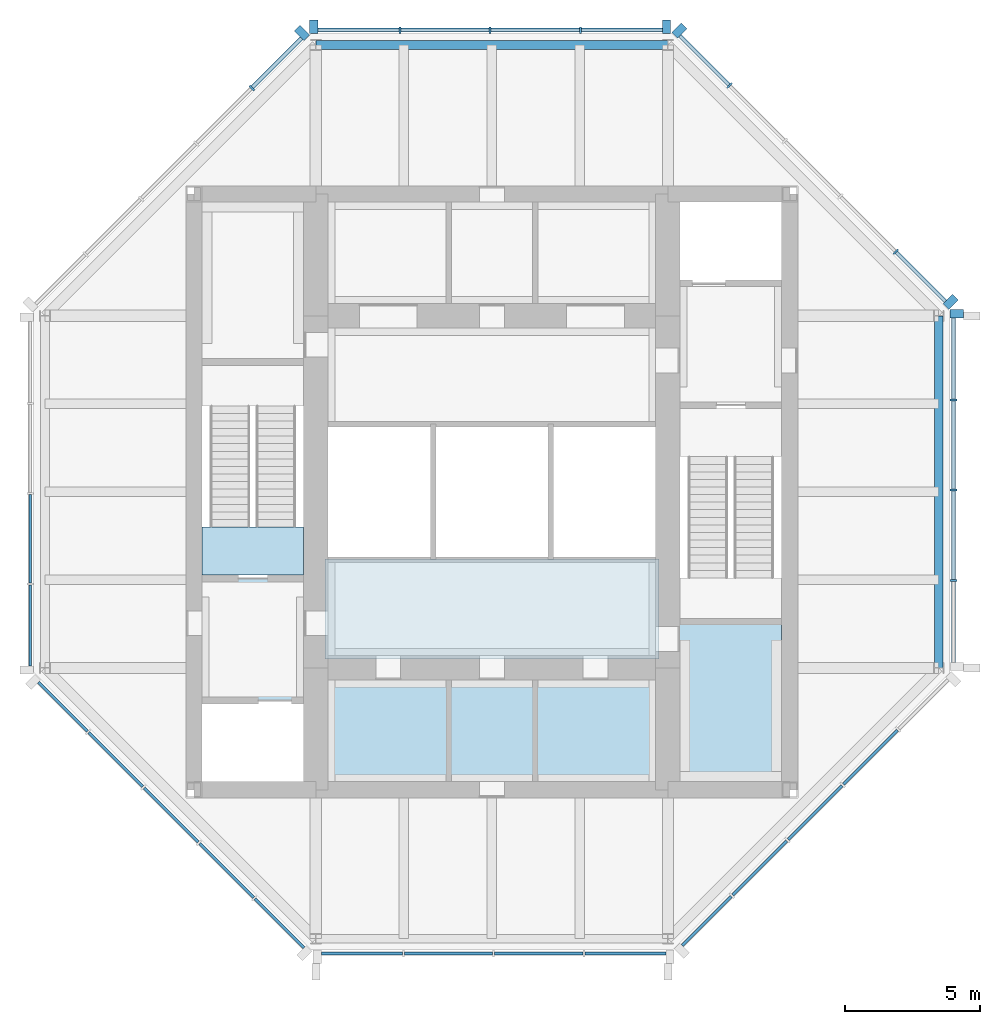
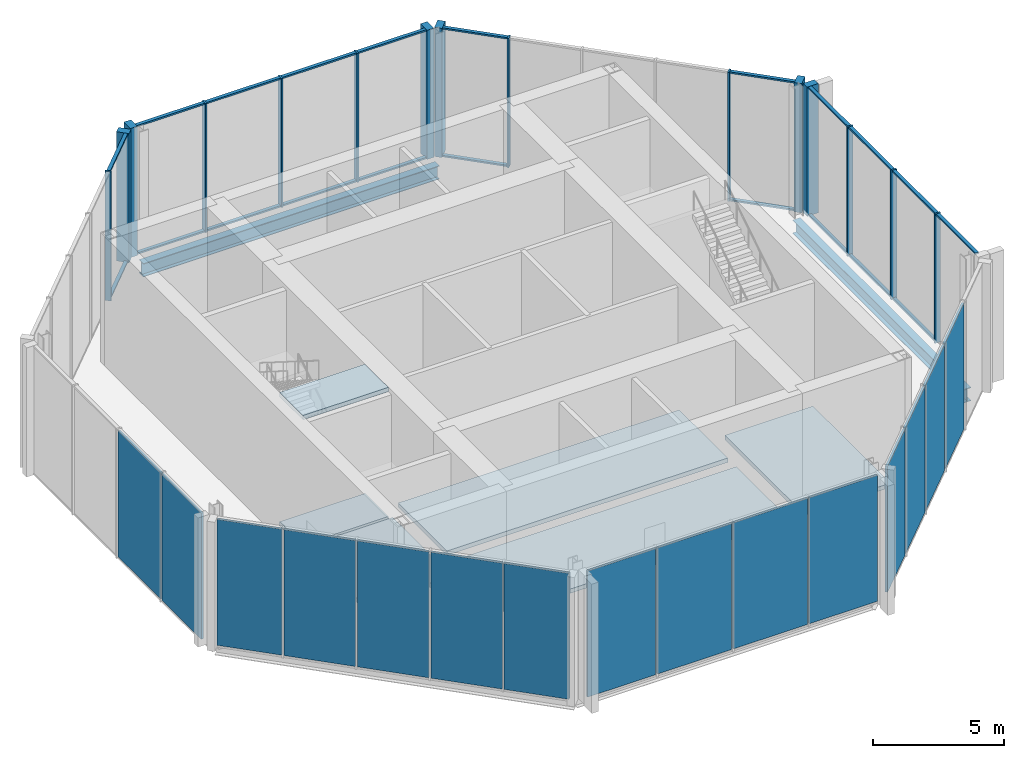
# One storey, part 3 of 6: 36 members, 15 plates, 6 slabs, 2 beams, 9 elements without a shape of their own.
"""IFC4 building model written with IfcOpenShell, lengths in metres."""

from ifc_helpers import new_model, si_unit, direction, frame, origin, origin_2d, place, context, subcontext, project, spatial, polyline, rectangle, i_section, outline, extrude, material, layer, layer_set, material_profile, profile_set, type_object, element, aggregate, save


model = new_model("IFC4")

# Units and contexts
model_context = context("Model", 3, precision=1e-05, world=origin(), true_north=direction((0.0, 1.0)))
body_context = subcontext(model_context, "Body", "Model", "MODEL_VIEW")
ifc_project = project(units=[si_unit("LENGTHUNIT", "METRE"), si_unit("AREAUNIT", "SQUARE_METRE"), si_unit("VOLUMEUNIT", "CUBIC_METRE"), si_unit("PLANEANGLEUNIT", "RADIAN"), si_unit("MASSUNIT", "GRAM", prefix="KILO")], contexts=[model_context])

# Site, building, storey
site_placement = place(None, origin())
site = spatial("IfcSite", under=ifc_project, at=site_placement, CompositionType="ELEMENT")
building_placement = place(site_placement, origin())
building = spatial("IfcBuilding", under=site, at=building_placement, Name="Trevanion Tower", CompositionType="ELEMENT")
storey_placement = place(building_placement, frame((0.0, 0.0, 304.199951171875)))
storey = spatial("IfcBuildingStorey", under=building, at=storey_placement, Name="L75", CompositionType="ELEMENT", Elevation=304.199951171875)

# Curtain wall, members
ifc_material_1 = material(Name="Aluminium louvres", Category="aluminium")
curtain_wall_type = type_object("IfcCurtainWallType", Name="CWL curtain wall", PredefinedType="USERDEFINED", material=ifc_material_1)
curtain_wall_1_placement = place(storey_placement, origin())
curtain_wall_1 = element("IfcCurtainWall", 1, at=curtain_wall_1_placement, inside=storey, type_object=curtain_wall_type, Name="CWL L75 0", ObjectType="LOUVRE SCREEN", PredefinedType="USERDEFINED")
ifc_material_2 = material(Name="Aluminium extrusion, anodised bronze", Category="aluminium")
ifc_material_profile_1 = material_profile(ifc_material_2, rectangle(XDim=0.074951171875, YDim=0.25, at=origin_2d()), Name="CWL mullion")
ifc_profile_set_1 = profile_set([ifc_material_profile_1], Name="Aluminium extrusion, anodised bronze")
member_type_1 = type_object("IfcMemberType", Name="CWL mullion", PredefinedType="MULLION", material=ifc_profile_set_1)
member_1_placement = place(storey_placement, frame((17.050048828125, -3.266357421875, -0.18994140625), z_axis=(0.0, 0.0, 1.0), x_axis=(0.0, 1.0, 0.0)))
member_1 = element("IfcMember", 2, at=member_1_placement, type_object=member_type_1, Name="CWL mullion 2", PredefinedType="MULLION", context=body_context, shape_type="SweptSolid", body=[
    extrude(rectangle(XDim=0.074951171875, YDim=0.25, at=origin_2d()), origin(), (0.0, 0.0, 1.0), 6.0),
])
member_2_placement = place(storey_placement, frame((17.050048828125, 0.06494140625, -0.18994140625), z_axis=(0.0, 0.0, 1.0), x_axis=(0.0, 1.0, 0.0)))
member_2 = element("IfcMember", 3, at=member_2_placement, type_object=member_type_1, Name="CWL mullion 3", PredefinedType="MULLION", context=body_context, shape_type="SweptSolid", body=[
    extrude(rectangle(XDim=0.074951171875, YDim=0.25, at=origin_2d()), origin(), (0.0, 0.0, 1.0), 6.0),
])
member_3_placement = place(storey_placement, frame((17.050048828125, 3.396484375, -0.18994140625), z_axis=(0.0, 0.0, 1.0), x_axis=(0.0, 1.0, 0.0)))
member_3 = element("IfcMember", 4, at=member_3_placement, type_object=member_type_1, Name="CWL mullion 4", PredefinedType="MULLION", context=body_context, shape_type="SweptSolid", body=[
    extrude(rectangle(XDim=0.074951171875, YDim=0.25, at=origin_2d()), origin(), (0.0, 0.0, 1.0), 6.0),
])

curtain_wall_2_placement = place(storey_placement, origin())
curtain_wall_2 = element("IfcCurtainWall", 5, at=curtain_wall_2_placement, inside=storey, type_object=curtain_wall_type, Name="CWL L75 1", ObjectType="LOUVRE SCREEN", PredefinedType="USERDEFINED")
member_4_placement = place(storey_placement, frame((14.912109375, 8.86572265625, -0.18994140625), z_axis=(0.0, 0.0, 1.0), x_axis=(-0.707106781187, 0.707106781187, 0.0)))
member_4 = element("IfcMember", 6, at=member_4_placement, type_object=member_type_1, Name="CWL mullion 2", PredefinedType="MULLION", context=body_context, shape_type="SweptSolid", body=[
    extrude(rectangle(XDim=0.074951171875, YDim=0.25, at=origin_2d()), origin(), (0.0, 0.0, 1.0), 6.0),
])
member_5_placement = place(storey_placement, frame((8.77392578125, 15.00390625, -0.18994140625), z_axis=(0.0, 0.0, 1.0), x_axis=(-0.707106781187, 0.707106781187, 0.0)))
member_5 = element("IfcMember", 7, at=member_5_placement, type_object=member_type_1, Name="CWL mullion 5", PredefinedType="MULLION", context=body_context, shape_type="SweptSolid", body=[
    extrude(rectangle(XDim=0.074951171875, YDim=0.25, at=origin_2d()), origin(), (0.0, 0.0, 1.0), 6.0),
])

curtain_wall_3_placement = place(storey_placement, origin())
curtain_wall_3 = element("IfcCurtainWall", 8, at=curtain_wall_3_placement, inside=storey, type_object=curtain_wall_type, Name="CWL L75 2", ObjectType="LOUVRE SCREEN", PredefinedType="USERDEFINED")
member_6_placement = place(storey_placement, frame((3.266357421875, 17.050048828125, -0.18994140625), z_axis=(0.0, 0.0, 1.0), x_axis=(-1.0, 0.0, 0.0)))
member_6 = element("IfcMember", 9, at=member_6_placement, type_object=member_type_1, Name="CWL mullion 2", PredefinedType="MULLION", context=body_context, shape_type="SweptSolid", body=[
    extrude(rectangle(XDim=0.074951171875, YDim=0.25, at=origin_2d()), origin(), (0.0, 0.0, 1.0), 6.0),
])
member_7_placement = place(storey_placement, frame((-0.06494140625, 17.050048828125, -0.18994140625), z_axis=(0.0, 0.0, 1.0), x_axis=(-1.0, 0.0, 0.0)))
member_7 = element("IfcMember", 10, at=member_7_placement, type_object=member_type_1, Name="CWL mullion 3", PredefinedType="MULLION", context=body_context, shape_type="SweptSolid", body=[
    extrude(rectangle(XDim=0.074951171875, YDim=0.25, at=origin_2d()), origin(), (0.0, 0.0, 1.0), 6.0),
])
member_8_placement = place(storey_placement, frame((-3.396484375, 17.050048828125, -0.18994140625), z_axis=(0.0, 0.0, 1.0), x_axis=(-1.0, 0.0, 0.0)))
member_8 = element("IfcMember", 11, at=member_8_placement, type_object=member_type_1, Name="CWL mullion 4", PredefinedType="MULLION", context=body_context, shape_type="SweptSolid", body=[
    extrude(rectangle(XDim=0.074951171875, YDim=0.25, at=origin_2d()), origin(), (0.0, 0.0, 1.0), 6.0),
])

# Curtain wall, member
curtain_wall_4_placement = place(storey_placement, origin())
curtain_wall_4 = element("IfcCurtainWall", 12, at=curtain_wall_4_placement, inside=storey, type_object=curtain_wall_type, Name="CWL L75 3", ObjectType="LOUVRE SCREEN", PredefinedType="USERDEFINED")
member_9_placement = place(storey_placement, frame((-8.86572265625, 14.912109375, -0.18994140625), z_axis=(0.0, 0.0, 1.0), x_axis=(-0.707106781187, -0.707106781187, 0.0)))
member_9 = element("IfcMember", 13, at=member_9_placement, type_object=member_type_1, Name="CWL mullion 2", PredefinedType="MULLION", context=body_context, shape_type="SweptSolid", body=[
    extrude(rectangle(XDim=0.074951171875, YDim=0.25, at=origin_2d()), origin(), (0.0, 0.0, 1.0), 6.0),
])

# Member
ifc_material_3 = material(Name="Aluminium extrusion, anodised bronze", Category="aluminium")
ifc_material_profile_2 = material_profile(ifc_material_3, rectangle(XDim=0.300048828125, YDim=0.5, at=origin_2d()), Name="CWL pier mullion")
ifc_profile_set_2 = profile_set([ifc_material_profile_2], Name="Aluminium extrusion, anodised bronze")
member_type_2 = type_object("IfcMemberType", Name="CWL pier mullion", PredefinedType="MULLION", material=ifc_profile_set_2)
member_10_placement = place(storey_placement, frame((17.175048828125, 6.577880859375, -0.18994140625), z_axis=(0.0, 0.0, 1.0), x_axis=(0.0, 1.0, 0.0)))
member_10 = element("IfcMember", 14, at=member_10_placement, type_object=member_type_2, Name="CWL pier mullion 5", PredefinedType="MULLION", context=body_context, shape_type="SweptSolid", body=[
    extrude(rectangle(XDim=0.300048828125, YDim=0.5, at=origin_2d()), origin(), (0.0, 0.0, 1.0), 6.0),
])

member_11_placement = place(storey_placement, frame((16.9404296875, 7.01416015625, -0.18994140625), z_axis=(0.0, 0.0, 1.0), x_axis=(-0.707106781187, 0.707106781187, 0.0)))
member_11 = element("IfcMember", 15, at=member_11_placement, type_object=member_type_2, Name="CWL pier mullion 1", PredefinedType="MULLION", context=body_context, shape_type="SweptSolid", body=[
    extrude(rectangle(XDim=0.300048828125, YDim=0.5, at=origin_2d()), origin(), (0.0, 0.0, 1.0), 6.0),
])

member_12_placement = place(storey_placement, frame((6.92236328125, 17.0322265625, -0.18994140625), z_axis=(0.0, 0.0, 1.0), x_axis=(-0.707106781187, 0.707106781187, 0.0)))
member_12 = element("IfcMember", 16, at=member_12_placement, type_object=member_type_2, Name="CWL pier mullion 6", PredefinedType="MULLION", context=body_context, shape_type="SweptSolid", body=[
    extrude(rectangle(XDim=0.300048828125, YDim=0.5, at=origin_2d()), origin(), (0.0, 0.0, 1.0), 6.0),
])

member_13_placement = place(storey_placement, frame((6.44775390625, 17.175048828125, -0.18994140625), z_axis=(0.0, 0.0, 1.0), x_axis=(-1.0, 0.0, 0.0)))
member_13 = element("IfcMember", 17, at=member_13_placement, type_object=member_type_2, Name="CWL pier mullion 1", PredefinedType="MULLION", context=body_context, shape_type="SweptSolid", body=[
    extrude(rectangle(XDim=0.300048828125, YDim=0.5, at=origin_2d()), origin(), (0.0, 0.0, 1.0), 6.0),
])

member_14_placement = place(storey_placement, frame((-6.577880859375, 17.175048828125, -0.18994140625), z_axis=(0.0, 0.0, 1.0), x_axis=(-1.0, 0.0, 0.0)))
member_14 = element("IfcMember", 18, at=member_14_placement, type_object=member_type_2, Name="CWL pier mullion 5", PredefinedType="MULLION", context=body_context, shape_type="SweptSolid", body=[
    extrude(rectangle(XDim=0.300048828125, YDim=0.5, at=origin_2d()), origin(), (0.0, 0.0, 1.0), 6.0),
])

member_15_placement = place(storey_placement, frame((-7.01416015625, 16.9404296875, -0.18994140625), z_axis=(0.0, 0.0, 1.0), x_axis=(-0.707106781187, -0.707106781187, 0.0)))
member_15 = element("IfcMember", 19, at=member_15_placement, type_object=member_type_2, Name="CWL pier mullion 1", PredefinedType="MULLION", context=body_context, shape_type="SweptSolid", body=[
    extrude(rectangle(XDim=0.300048828125, YDim=0.5, at=origin_2d()), origin(), (0.0, 0.0, 1.0), 6.0),
])

ifc_material_4 = material(Name="Aluminium extrusion, anodised bronze", Category="aluminium")
ifc_material_profile_3 = material_profile(ifc_material_4, rectangle(XDim=0.14990234375, YDim=0.074951171875, at=origin_2d()), Name="CWL transom")
ifc_profile_set_3 = profile_set([ifc_material_profile_3], Name="Aluminium extrusion, anodised bronze")
member_type_3 = type_object("IfcMemberType", Name="CWL transom", PredefinedType="USERDEFINED", material=ifc_profile_set_3)
member_16_placement = place(storey_placement, frame((17.050048828125, -6.2978515625, 5.7724609375), z_axis=(0.0, 1.0, 0.0), x_axis=(-1.0, 0.0, 0.0)))
member_16 = element("IfcMember", 20, at=member_16_placement, type_object=member_type_3, Name="CWL transom 1.2", ObjectType="TRANSOM", PredefinedType="USERDEFINED", context=body_context, shape_type="SweptSolid", body=[
    extrude(rectangle(XDim=0.14990234375, YDim=0.074951171875, at=origin_2d()), origin(), (0.0, 0.0, 1.0), 2.993896484375),
])

member_17_placement = place(storey_placement, frame((17.050048828125, -3.22900390625, -0.15234375), z_axis=(0.0, 1.0, 0.0), x_axis=(-1.0, 0.0, 0.0)))
member_17 = element("IfcMember", 21, at=member_17_placement, type_object=member_type_3, Name="CWL transom 2.1", ObjectType="TRANSOM", PredefinedType="USERDEFINED", context=body_context, shape_type="SweptSolid", body=[
    extrude(rectangle(XDim=0.14990234375, YDim=0.074951171875, at=origin_2d()), origin(), (0.0, 0.0, 1.0), 3.256591796875),
])

member_18_placement = place(storey_placement, frame((17.050048828125, -3.22900390625, 5.7724609375), z_axis=(0.0, 1.0, 0.0), x_axis=(-1.0, 0.0, 0.0)))
member_18 = element("IfcMember", 22, at=member_18_placement, type_object=member_type_3, Name="CWL transom 2.2", ObjectType="TRANSOM", PredefinedType="USERDEFINED", context=body_context, shape_type="SweptSolid", body=[
    extrude(rectangle(XDim=0.14990234375, YDim=0.074951171875, at=origin_2d()), origin(), (0.0, 0.0, 1.0), 3.256591796875),
])

member_19_placement = place(storey_placement, frame((17.050048828125, 0.1025390625, -0.15234375), z_axis=(0.0, 1.0, 0.0), x_axis=(-1.0, 0.0, 0.0)))
member_19 = element("IfcMember", 23, at=member_19_placement, type_object=member_type_3, Name="CWL transom 3.1", ObjectType="TRANSOM", PredefinedType="USERDEFINED", context=body_context, shape_type="SweptSolid", body=[
    extrude(rectangle(XDim=0.14990234375, YDim=0.074951171875, at=origin_2d()), origin(), (0.0, 0.0, 1.0), 3.25634765625),
])

member_20_placement = place(storey_placement, frame((17.050048828125, 0.1025390625, 5.7724609375), z_axis=(0.0, 1.0, 0.0), x_axis=(-1.0, 0.0, 0.0)))
member_20 = element("IfcMember", 24, at=member_20_placement, type_object=member_type_3, Name="CWL transom 3.2", ObjectType="TRANSOM", PredefinedType="USERDEFINED", context=body_context, shape_type="SweptSolid", body=[
    extrude(rectangle(XDim=0.14990234375, YDim=0.074951171875, at=origin_2d()), origin(), (0.0, 0.0, 1.0), 3.25634765625),
])

member_21_placement = place(storey_placement, frame((17.050048828125, 3.433837890625, -0.15234375), z_axis=(0.0, 1.0, 0.0), x_axis=(-1.0, 0.0, 0.0)))
member_21 = element("IfcMember", 25, at=member_21_placement, type_object=member_type_3, Name="CWL transom 4.1", ObjectType="TRANSOM", PredefinedType="USERDEFINED", context=body_context, shape_type="SweptSolid", body=[
    extrude(rectangle(XDim=0.14990234375, YDim=0.074951171875, at=origin_2d()), origin(), (0.0, 0.0, 1.0), 2.993896484375),
])

member_22_placement = place(storey_placement, frame((17.050048828125, 3.433837890625, 5.7724609375), z_axis=(0.0, 1.0, 0.0), x_axis=(-1.0, 0.0, 0.0)))
member_22 = element("IfcMember", 26, at=member_22_placement, type_object=member_type_3, Name="CWL transom 4.2", ObjectType="TRANSOM", PredefinedType="USERDEFINED", context=body_context, shape_type="SweptSolid", body=[
    extrude(rectangle(XDim=0.14990234375, YDim=0.074951171875, at=origin_2d()), origin(), (0.0, 0.0, 1.0), 2.993896484375),
])

aggregate(curtain_wall_1, [member_1, member_2, member_3, member_10, member_16, member_17, member_18, member_19, member_20, member_21, member_22])

member_23_placement = place(storey_placement, frame((16.745849609375, 7.031982421875, -0.15234375), z_axis=(-0.707106781187, 0.707106781187, 0.0), x_axis=(-0.707106781187, -0.707106781187, 0.0)))
member_23 = element("IfcMember", 27, at=member_23_placement, type_object=member_type_3, Name="CWL transom 1.1", ObjectType="TRANSOM", PredefinedType="USERDEFINED", context=body_context, shape_type="SweptSolid", body=[
    extrude(rectangle(XDim=0.14990234375, YDim=0.074951171875, at=origin_2d()), origin(), (0.0, 0.0, 1.0), 2.555908203125),
])

member_24_placement = place(storey_placement, frame((16.745849609375, 7.031982421875, 5.7724609375), z_axis=(-0.707106781187, 0.707106781187, 0.0), x_axis=(-0.707106781187, -0.707106781187, 0.0)))
member_24 = element("IfcMember", 28, at=member_24_placement, type_object=member_type_3, Name="CWL transom 1.2", ObjectType="TRANSOM", PredefinedType="USERDEFINED", context=body_context, shape_type="SweptSolid", body=[
    extrude(rectangle(XDim=0.14990234375, YDim=0.074951171875, at=origin_2d()), origin(), (0.0, 0.0, 1.0), 2.555908203125),
])

member_25_placement = place(storey_placement, frame((8.747314453125, 15.030517578125, -0.15234375), z_axis=(-0.707106781187, 0.707106781187, 0.0), x_axis=(-0.707106781187, -0.707106781187, 0.0)))
member_25 = element("IfcMember", 29, at=member_25_placement, type_object=member_type_3, Name="CWL transom 5.1", ObjectType="TRANSOM", PredefinedType="USERDEFINED", context=body_context, shape_type="SweptSolid", body=[
    extrude(rectangle(XDim=0.14990234375, YDim=0.074951171875, at=origin_2d()), origin(), (0.0, 0.0, 1.0), 2.555908203125),
])

member_26_placement = place(storey_placement, frame((8.747314453125, 15.030517578125, 5.7724609375), z_axis=(-0.707106781187, 0.707106781187, 0.0), x_axis=(-0.707106781187, -0.707106781187, 0.0)))
member_26 = element("IfcMember", 30, at=member_26_placement, type_object=member_type_3, Name="CWL transom 5.2", ObjectType="TRANSOM", PredefinedType="USERDEFINED", context=body_context, shape_type="SweptSolid", body=[
    extrude(rectangle(XDim=0.14990234375, YDim=0.074951171875, at=origin_2d()), origin(), (0.0, 0.0, 1.0), 2.555908203125),
])

aggregate(curtain_wall_2, [member_11, member_4, member_5, member_12, member_23, member_24, member_25, member_26])

member_27_placement = place(storey_placement, frame((6.2978515625, 17.050048828125, -0.15234375), z_axis=(-1.0, 0.0, 0.0), x_axis=(0.0, -1.0, 0.0)))
member_27 = element("IfcMember", 31, at=member_27_placement, type_object=member_type_3, Name="CWL transom 1.1", ObjectType="TRANSOM", PredefinedType="USERDEFINED", context=body_context, shape_type="SweptSolid", body=[
    extrude(rectangle(XDim=0.14990234375, YDim=0.074951171875, at=origin_2d()), origin(), (0.0, 0.0, 1.0), 2.993896484375),
])

member_28_placement = place(storey_placement, frame((6.2978515625, 17.050048828125, 5.7724609375), z_axis=(-1.0, 0.0, 0.0), x_axis=(0.0, -1.0, 0.0)))
member_28 = element("IfcMember", 32, at=member_28_placement, type_object=member_type_3, Name="CWL transom 1.2", ObjectType="TRANSOM", PredefinedType="USERDEFINED", context=body_context, shape_type="SweptSolid", body=[
    extrude(rectangle(XDim=0.14990234375, YDim=0.074951171875, at=origin_2d()), origin(), (0.0, 0.0, 1.0), 2.993896484375),
])

member_29_placement = place(storey_placement, frame((3.22900390625, 17.050048828125, -0.15234375), z_axis=(-1.0, 0.0, 0.0), x_axis=(0.0, -1.0, 0.0)))
member_29 = element("IfcMember", 33, at=member_29_placement, type_object=member_type_3, Name="CWL transom 2.1", ObjectType="TRANSOM", PredefinedType="USERDEFINED", context=body_context, shape_type="SweptSolid", body=[
    extrude(rectangle(XDim=0.14990234375, YDim=0.074951171875, at=origin_2d()), origin(), (0.0, 0.0, 1.0), 3.256591796875),
])

member_30_placement = place(storey_placement, frame((3.22900390625, 17.050048828125, 5.7724609375), z_axis=(-1.0, 0.0, 0.0), x_axis=(0.0, -1.0, 0.0)))
member_30 = element("IfcMember", 34, at=member_30_placement, type_object=member_type_3, Name="CWL transom 2.2", ObjectType="TRANSOM", PredefinedType="USERDEFINED", context=body_context, shape_type="SweptSolid", body=[
    extrude(rectangle(XDim=0.14990234375, YDim=0.074951171875, at=origin_2d()), origin(), (0.0, 0.0, 1.0), 3.256591796875),
])

member_31_placement = place(storey_placement, frame((-0.1025390625, 17.050048828125, -0.15234375), z_axis=(-1.0, 0.0, 0.0), x_axis=(0.0, -1.0, 0.0)))
member_31 = element("IfcMember", 35, at=member_31_placement, type_object=member_type_3, Name="CWL transom 3.1", ObjectType="TRANSOM", PredefinedType="USERDEFINED", context=body_context, shape_type="SweptSolid", body=[
    extrude(rectangle(XDim=0.14990234375, YDim=0.074951171875, at=origin_2d()), origin(), (0.0, 0.0, 1.0), 3.25634765625),
])

member_32_placement = place(storey_placement, frame((-0.1025390625, 17.050048828125, 5.7724609375), z_axis=(-1.0, 0.0, 0.0), x_axis=(0.0, -1.0, 0.0)))
member_32 = element("IfcMember", 36, at=member_32_placement, type_object=member_type_3, Name="CWL transom 3.2", ObjectType="TRANSOM", PredefinedType="USERDEFINED", context=body_context, shape_type="SweptSolid", body=[
    extrude(rectangle(XDim=0.14990234375, YDim=0.074951171875, at=origin_2d()), origin(), (0.0, 0.0, 1.0), 3.25634765625),
])

member_33_placement = place(storey_placement, frame((-3.433837890625, 17.050048828125, -0.15234375), z_axis=(-1.0, 0.0, 0.0), x_axis=(0.0, -1.0, 0.0)))
member_33 = element("IfcMember", 37, at=member_33_placement, type_object=member_type_3, Name="CWL transom 4.1", ObjectType="TRANSOM", PredefinedType="USERDEFINED", context=body_context, shape_type="SweptSolid", body=[
    extrude(rectangle(XDim=0.14990234375, YDim=0.074951171875, at=origin_2d()), origin(), (0.0, 0.0, 1.0), 2.993896484375),
])

member_34_placement = place(storey_placement, frame((-3.433837890625, 17.050048828125, 5.7724609375), z_axis=(-1.0, 0.0, 0.0), x_axis=(0.0, -1.0, 0.0)))
member_34 = element("IfcMember", 38, at=member_34_placement, type_object=member_type_3, Name="CWL transom 4.2", ObjectType="TRANSOM", PredefinedType="USERDEFINED", context=body_context, shape_type="SweptSolid", body=[
    extrude(rectangle(XDim=0.14990234375, YDim=0.074951171875, at=origin_2d()), origin(), (0.0, 0.0, 1.0), 2.993896484375),
])

aggregate(curtain_wall_3, [member_13, member_6, member_7, member_8, member_14, member_27, member_28, member_29, member_30, member_31, member_32, member_33, member_34])

member_35_placement = place(storey_placement, frame((-7.031982421875, 16.745849609375, -0.15234375), z_axis=(-0.707106781187, -0.707106781187, 0.0), x_axis=(0.707106781187, -0.707106781187, 0.0)))
member_35 = element("IfcMember", 39, at=member_35_placement, type_object=member_type_3, Name="CWL transom 1.1", ObjectType="TRANSOM", PredefinedType="USERDEFINED", context=body_context, shape_type="SweptSolid", body=[
    extrude(rectangle(XDim=0.14990234375, YDim=0.074951171875, at=origin_2d()), origin(), (0.0, 0.0, 1.0), 2.555908203125),
])

member_36_placement = place(storey_placement, frame((-7.031982421875, 16.745849609375, 5.7724609375), z_axis=(-0.707106781187, -0.707106781187, 0.0), x_axis=(0.707106781187, -0.707106781187, 0.0)))
member_36 = element("IfcMember", 40, at=member_36_placement, type_object=member_type_3, Name="CWL transom 1.2", ObjectType="TRANSOM", PredefinedType="USERDEFINED", context=body_context, shape_type="SweptSolid", body=[
    extrude(rectangle(XDim=0.14990234375, YDim=0.074951171875, at=origin_2d()), origin(), (0.0, 0.0, 1.0), 2.555908203125),
])

aggregate(curtain_wall_4, [member_15, member_9, member_35, member_36])

# Beams
ifc_material_5 = material(Name="Steel ASTM A992 Grade 50", Category="steel")
ifc_material_profile_4 = material_profile(ifc_material_5, i_section(OverallWidth=0.32763671875, OverallDepth=0.622314453125, WebThickness=0.015380859375, FlangeThickness=0.0244140625, at=origin_2d()), Name="W24X131")
ifc_profile_set_4 = profile_set([ifc_material_profile_4], Name="Steel ASTM A992 Grade 50")
beam_type = type_object("IfcBeamType", Name="SB12 W24X131", PredefinedType="SPANDREL", material=ifc_profile_set_4)
for number, where, z_axis, x_axis, name in (
    (41, (16.5, -6.5, -0.501220703125), (0.0, 1.0, 0.0), (-1.0, 0.0, 0.0), "SB12 L75"),
    (42, (6.5, 16.5, -0.501220703125), (-1.0, 0.0, 0.0), (0.0, -1.0, 0.0), "SB12 L75"),
):
    element("IfcBeam", number, at=place(storey_placement, frame(where, z_axis=z_axis, x_axis=x_axis)), inside=storey, type_object=beam_type, Name=name, PredefinedType="SPANDREL", context=body_context, shape_type="SweptSolid", body=[
        extrude(i_section(OverallWidth=0.32763671875, OverallDepth=0.622314453125, WebThickness=0.015380859375, FlangeThickness=0.0244140625, at=origin_2d()), origin(), (0.0, 0.0, 1.0), 13.0),
    ])

# Curtain wall, plates
curtain_wall_5_placement = place(storey_placement, origin())
curtain_wall_5 = element("IfcCurtainWall", 43, at=curtain_wall_5_placement, inside=storey, type_object=curtain_wall_type, Name="CWL L75 4", ObjectType="LOUVRE SCREEN", PredefinedType="USERDEFINED")
ifc_material_6 = material(Name="Aluminium louvres", Category="aluminium")
ifc_layer_1 = layer(ifc_material_6, 0.10009765625)
ifc_layer_set_1 = layer_set([ifc_layer_1], Name="CWL louvre panel")
plate_type = type_object("IfcPlateType", Name="CWL louvre panel", PredefinedType="CURTAIN_PANEL", material=ifc_layer_set_1)
plate_1_placement = place(storey_placement, frame((-17.050048828125, -1.730712890625, -0.114990234375), z_axis=(0.0, 0.0, 1.0), x_axis=(0.0, -1.0, 0.0)))
plate_1 = element("IfcPlate", 44, at=plate_1_placement, type_object=plate_type, Name="CWL panel 3.1", PredefinedType="CURTAIN_PANEL", context=body_context, shape_type="SweptSolid", body=[
    extrude(rectangle(XDim=3.25634765625, YDim=0.10009765625, at=origin_2d()), origin(), (0.0, 0.0, 1.0), 5.85009765625),
])
plate_2_placement = place(storey_placement, frame((-17.050048828125, -4.930908203125, -0.114990234375), z_axis=(0.0, 0.0, 1.0), x_axis=(0.0, -1.0, 0.0)))
plate_2 = element("IfcPlate", 45, at=plate_2_placement, type_object=plate_type, Name="CWL panel 4.1", PredefinedType="CURTAIN_PANEL", context=body_context, shape_type="SweptSolid", body=[
    extrude(rectangle(XDim=2.993896484375, YDim=0.10009765625, at=origin_2d()), origin(), (0.0, 0.0, 1.0), 5.85009765625),
])
aggregate(curtain_wall_5, [plate_1, plate_2])

curtain_wall_6_placement = place(storey_placement, origin())
curtain_wall_6 = element("IfcCurtainWall", 46, at=curtain_wall_6_placement, inside=storey, type_object=curtain_wall_type, Name="CWL L75 5", ObjectType="LOUVRE SCREEN", PredefinedType="USERDEFINED")
plate_3_placement = place(storey_placement, frame((-15.84228515625, -7.935546875, -0.114990234375), z_axis=(0.0, 0.0, 1.0), x_axis=(0.707106781187, -0.707106781187, 0.0)))
plate_3 = element("IfcPlate", 47, at=plate_3_placement, type_object=plate_type, Name="CWL panel 1.1", PredefinedType="CURTAIN_PANEL", context=body_context, shape_type="SweptSolid", body=[
    extrude(rectangle(XDim=2.55615234375, YDim=0.10009765625, at=origin_2d()), origin(), (0.0, 0.0, 1.0), 5.85009765625),
])
plate_4_placement = place(storey_placement, frame((-13.888916015625, -9.888916015625, -0.114990234375), z_axis=(0.0, 0.0, 1.0), x_axis=(0.707106781187, -0.707106781187, 0.0)))
plate_4 = element("IfcPlate", 48, at=plate_4_placement, type_object=plate_type, Name="CWL panel 2.1", PredefinedType="CURTAIN_PANEL", context=body_context, shape_type="SweptSolid", body=[
    extrude(rectangle(XDim=2.818603515625, YDim=0.10009765625, at=origin_2d()), origin(), (0.0, 0.0, 1.0), 5.85009765625),
])
plate_5_placement = place(storey_placement, frame((-11.843017578125, -11.934814453125, -0.114990234375), z_axis=(0.0, 0.0, 1.0), x_axis=(0.707106781187, -0.707106781187, 0.0)))
plate_5 = element("IfcPlate", 49, at=plate_5_placement, type_object=plate_type, Name="CWL panel 3.1", PredefinedType="CURTAIN_PANEL", context=body_context, shape_type="SweptSolid", body=[
    extrude(rectangle(XDim=2.818603515625, YDim=0.10009765625, at=origin_2d()), origin(), (0.0, 0.0, 1.0), 5.85009765625),
])
plate_6_placement = place(storey_placement, frame((-9.796875, -13.98095703125, -0.114990234375), z_axis=(0.0, 0.0, 1.0), x_axis=(0.707106781187, -0.707106781187, 0.0)))
plate_6 = element("IfcPlate", 50, at=plate_6_placement, type_object=plate_type, Name="CWL panel 4.1", PredefinedType="CURTAIN_PANEL", context=body_context, shape_type="SweptSolid", body=[
    extrude(rectangle(XDim=2.818603515625, YDim=0.10009765625, at=origin_2d()), origin(), (0.0, 0.0, 1.0), 5.85009765625),
])
plate_7_placement = place(storey_placement, frame((-7.84375, -15.93408203125, -0.114990234375), z_axis=(0.0, 0.0, 1.0), x_axis=(0.707106781187, -0.707106781187, 0.0)))
plate_7 = element("IfcPlate", 51, at=plate_7_placement, type_object=plate_type, Name="CWL panel 5.1", PredefinedType="CURTAIN_PANEL", context=body_context, shape_type="SweptSolid", body=[
    extrude(rectangle(XDim=2.55615234375, YDim=0.10009765625, at=origin_2d()), origin(), (0.0, 0.0, 1.0), 5.85009765625),
])
aggregate(curtain_wall_6, [plate_3, plate_4, plate_5, plate_6, plate_7])

curtain_wall_7_placement = place(storey_placement, origin())
curtain_wall_7 = element("IfcCurtainWall", 52, at=curtain_wall_7_placement, inside=storey, type_object=curtain_wall_type, Name="CWL L75 6", ObjectType="LOUVRE SCREEN", PredefinedType="USERDEFINED")
plate_8_placement = place(storey_placement, frame((-4.80078125, -17.050048828125, -0.114990234375), z_axis=(0.0, 0.0, 1.0), x_axis=(1.0, 0.0, 0.0)))
plate_8 = element("IfcPlate", 53, at=plate_8_placement, type_object=plate_type, Name="CWL panel 1.1", PredefinedType="CURTAIN_PANEL", context=body_context, shape_type="SweptSolid", body=[
    extrude(rectangle(XDim=2.993896484375, YDim=0.10009765625, at=origin_2d()), origin(), (0.0, 0.0, 1.0), 5.85009765625),
])
plate_9_placement = place(storey_placement, frame((-1.6005859375, -17.050048828125, -0.114990234375), z_axis=(0.0, 0.0, 1.0), x_axis=(1.0, 0.0, 0.0)))
plate_9 = element("IfcPlate", 54, at=plate_9_placement, type_object=plate_type, Name="CWL panel 2.1", PredefinedType="CURTAIN_PANEL", context=body_context, shape_type="SweptSolid", body=[
    extrude(rectangle(XDim=3.25634765625, YDim=0.10009765625, at=origin_2d()), origin(), (0.0, 0.0, 1.0), 5.85009765625),
])
plate_10_placement = place(storey_placement, frame((1.730712890625, -17.050048828125, -0.114990234375), z_axis=(0.0, 0.0, 1.0), x_axis=(1.0, 0.0, 0.0)))
plate_10 = element("IfcPlate", 55, at=plate_10_placement, type_object=plate_type, Name="CWL panel 3.1", PredefinedType="CURTAIN_PANEL", context=body_context, shape_type="SweptSolid", body=[
    extrude(rectangle(XDim=3.25634765625, YDim=0.10009765625, at=origin_2d()), origin(), (0.0, 0.0, 1.0), 5.85009765625),
])
plate_11_placement = place(storey_placement, frame((4.930908203125, -17.050048828125, -0.114990234375), z_axis=(0.0, 0.0, 1.0), x_axis=(1.0, 0.0, 0.0)))
plate_11 = element("IfcPlate", 56, at=plate_11_placement, type_object=plate_type, Name="CWL panel 4.1", PredefinedType="CURTAIN_PANEL", context=body_context, shape_type="SweptSolid", body=[
    extrude(rectangle(XDim=2.993896484375, YDim=0.10009765625, at=origin_2d()), origin(), (0.0, 0.0, 1.0), 5.85009765625),
])
aggregate(curtain_wall_7, [plate_8, plate_9, plate_10, plate_11])

curtain_wall_8_placement = place(storey_placement, origin())
curtain_wall_8 = element("IfcCurtainWall", 57, at=curtain_wall_8_placement, inside=storey, type_object=curtain_wall_type, Name="CWL L75 7", ObjectType="LOUVRE SCREEN", PredefinedType="USERDEFINED")
plate_12_placement = place(storey_placement, frame((7.935546875, -15.84228515625, -0.114990234375), z_axis=(0.0, 0.0, 1.0), x_axis=(0.707106781187, 0.707106781187, 0.0)))
plate_12 = element("IfcPlate", 58, at=plate_12_placement, type_object=plate_type, Name="CWL panel 1.1", PredefinedType="CURTAIN_PANEL", context=body_context, shape_type="SweptSolid", body=[
    extrude(rectangle(XDim=2.55615234375, YDim=0.10009765625, at=origin_2d()), origin(), (0.0, 0.0, 1.0), 5.85009765625),
])
plate_13_placement = place(storey_placement, frame((9.888916015625, -13.888916015625, -0.114990234375), z_axis=(0.0, 0.0, 1.0), x_axis=(0.707106781187, 0.707106781187, 0.0)))
plate_13 = element("IfcPlate", 59, at=plate_13_placement, type_object=plate_type, Name="CWL panel 2.1", PredefinedType="CURTAIN_PANEL", context=body_context, shape_type="SweptSolid", body=[
    extrude(rectangle(XDim=2.818603515625, YDim=0.10009765625, at=origin_2d()), origin(), (0.0, 0.0, 1.0), 5.85009765625),
])
plate_14_placement = place(storey_placement, frame((11.934814453125, -11.843017578125, -0.114990234375), z_axis=(0.0, 0.0, 1.0), x_axis=(0.707106781187, 0.707106781187, 0.0)))
plate_14 = element("IfcPlate", 60, at=plate_14_placement, type_object=plate_type, Name="CWL panel 3.1", PredefinedType="CURTAIN_PANEL", context=body_context, shape_type="SweptSolid", body=[
    extrude(rectangle(XDim=2.818603515625, YDim=0.10009765625, at=origin_2d()), origin(), (0.0, 0.0, 1.0), 5.85009765625),
])
plate_15_placement = place(storey_placement, frame((13.98095703125, -9.796875, -0.114990234375), z_axis=(0.0, 0.0, 1.0), x_axis=(0.707106781187, 0.707106781187, 0.0)))
plate_15 = element("IfcPlate", 61, at=plate_15_placement, type_object=plate_type, Name="CWL panel 4.1", PredefinedType="CURTAIN_PANEL", context=body_context, shape_type="SweptSolid", body=[
    extrude(rectangle(XDim=2.818603515625, YDim=0.10009765625, at=origin_2d()), origin(), (0.0, 0.0, 1.0), 5.85009765625),
])
aggregate(curtain_wall_8, [plate_12, plate_13, plate_14, plate_15])

# Slabs
ifc_material_7 = material(Name="Concrete 5,000 psi", Category="concrete")
ifc_layer_2 = layer(ifc_material_7, 0.199951171875)
ifc_layer_set_2 = layer_set([ifc_layer_2], Name="SL2 core floor 200")
slab_type_1 = type_object("IfcSlabType", Name="SL2 core floor 200", PredefinedType="FLOOR", material=ifc_layer_set_2)
slab_1_placement = place(storey_placement, frame((0.0, 0.0, -0.199951171875)))
element("IfcSlab", 62, at=slab_1_placement, inside=storey, type_object=slab_type_1, Name="SL2 L75 core floor 1", PredefinedType="FLOOR", context=body_context, shape_type="SweptSolid", body=[
    extrude(outline(polyline([(6.169921875, -10.699951171875), (-6.169921875, -10.699951171875), (-6.169921875, -6.830078125), (6.169921875, -6.830078125), (6.169921875, -10.699951171875)])), origin(), (0.0, 0.0, 1.0), 0.199951171875),
])
slab_2_placement = place(storey_placement, frame((0.0, 0.0, -0.199951171875)))
element("IfcSlab", 63, at=slab_2_placement, inside=storey, type_object=slab_type_1, Name="SL2 L75 core floor 2", PredefinedType="FLOOR", context=body_context, shape_type="SweptSolid", body=[
    extrude(outline(polyline([(6.830078125, -4.804931640625), (10.699951171875, -4.804931640625), (10.699951171875, -10.699951171875), (6.830078125, -10.699951171875), (6.830078125, -4.804931640625)])), origin(), (0.0, 0.0, 1.0), 0.199951171875),
])
slab_3_placement = place(storey_placement, frame((0.0, 0.0, -0.199951171875)))
element("IfcSlab", 64, at=slab_3_placement, inside=storey, type_object=slab_type_1, Name="SL2 L75 core floor 3", PredefinedType="FLOOR", context=body_context, shape_type="SweptSolid", body=[
    extrude(outline(polyline([(-6.830078125, -3.205078125), (-6.830078125, -7.695068359375), (-10.699951171875, -7.695068359375), (-10.699951171875, -3.205078125), (-6.830078125, -3.205078125)])), origin(), (0.0, 0.0, 1.0), 0.199951171875),
])
slab_4_placement = place(storey_placement, frame((0.0, 0.0, -0.199951171875)))
element("IfcSlab", 65, at=slab_4_placement, inside=storey, type_object=slab_type_1, Name="SL2 L75 core floor 4", PredefinedType="FLOOR", context=body_context, shape_type="SweptSolid", body=[
    extrude(outline(polyline([(6.169921875, -6.169921875), (-6.169921875, -6.169921875), (-6.169921875, -2.47998046875), (6.169921875, -2.47998046875), (6.169921875, -6.169921875)])), origin(), (0.0, 0.0, 1.0), 0.199951171875),
])

# Stair, slabs
ifc_material_8 = material(Name="Concrete 5,000 psi on steel stringers", Category="concrete")
stair_type = type_object("IfcStairType", Name="ST stair", PredefinedType="HALF_TURN_STAIR", material=ifc_material_8)
stair_placement = place(storey_placement, origin())
stair = element("IfcStair", 66, at=stair_placement, inside=storey, type_object=stair_type, Name="ST2 L75", PredefinedType="HALF_TURN_STAIR")
ifc_material_9 = material(Name="Concrete 5,000 psi in steel pan", Category="concrete")
ifc_layer_3 = layer(ifc_material_9, 0.199951171875)
ifc_layer_set_3 = layer_set([ifc_layer_3], Name="STL stair landing 200")
slab_type_2 = type_object("IfcSlabType", Name="STL stair landing 200", PredefinedType="LANDING", material=ifc_layer_set_3)
slab_5_placement = place(storey_placement, frame((0.0, 0.0, -0.199951171875)))
slab_5 = element("IfcSlab", 67, at=slab_5_placement, type_object=slab_type_2, Name="ST2 landing 1", PredefinedType="LANDING", context=body_context, shape_type="SweptSolid", body=[
    extrude(outline(polyline([(-6.949951171875, -1.300048828125), (-10.699951171875, -1.300048828125), (-10.699951171875, -3.074951171875), (-6.949951171875, -3.074951171875), (-6.949951171875, -1.300048828125)])), origin(), (0.0, 0.0, 1.0), 0.199951171875),
])
slab_6_placement = place(storey_placement, frame((0.0, 0.0, 5.800048828125)))
slab_6 = element("IfcSlab", 68, at=slab_6_placement, type_object=slab_type_2, Name="ST2 landing 3", PredefinedType="LANDING", context=body_context, shape_type="SweptSolid", body=[
    extrude(outline(polyline([(-6.949951171875, -1.300048828125), (-10.699951171875, -1.300048828125), (-10.699951171875, -3.074951171875), (-6.949951171875, -3.074951171875), (-6.949951171875, -1.300048828125)])), origin(), (0.0, 0.0, 1.0), 0.199951171875),
])
aggregate(stair, [slab_5, slab_6])

save(model, "model.ifc")
